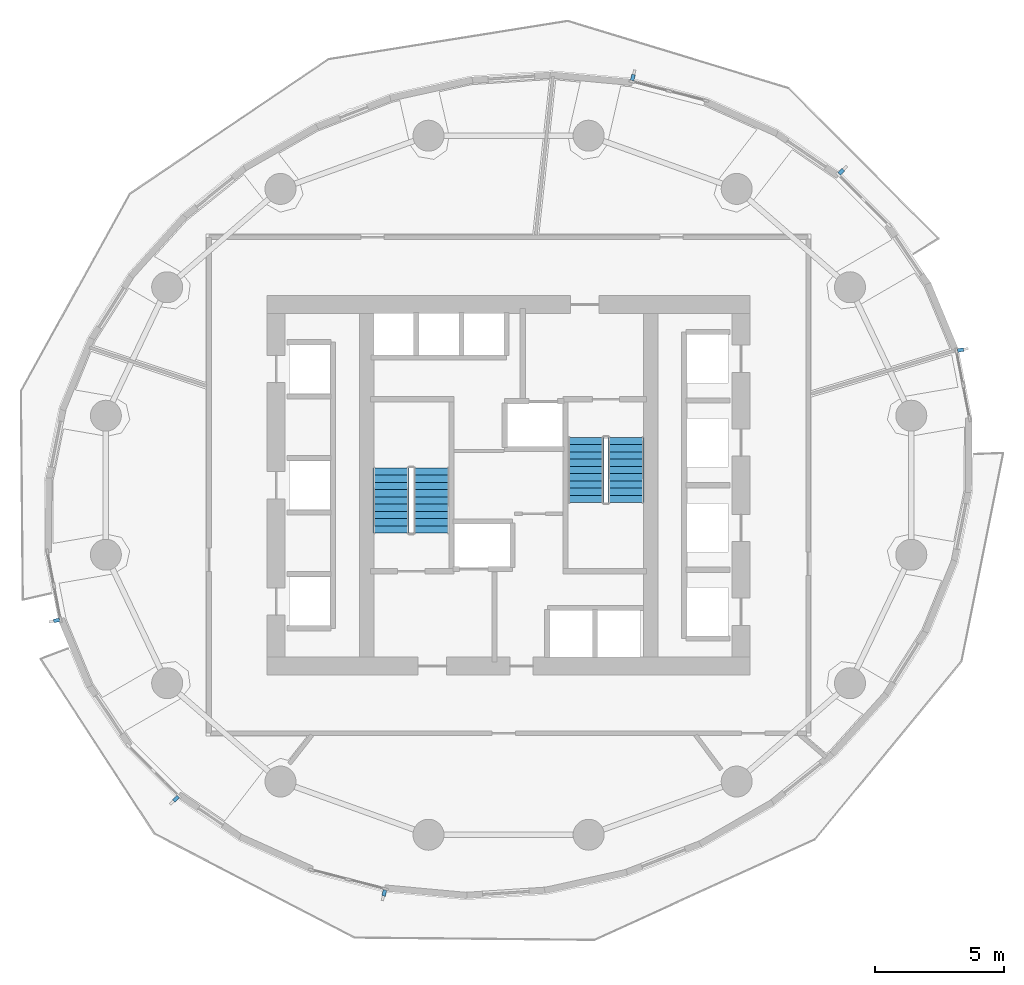
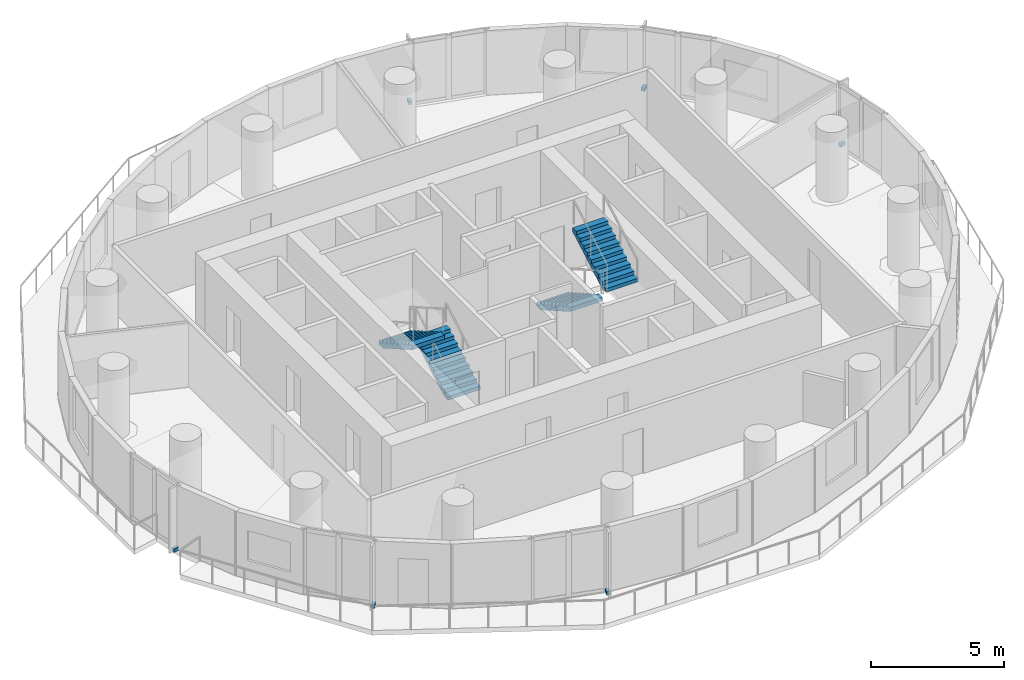
# One storey, part 6 of 10: 6 discrete accessories, 4 stair flights, 2 elements without a shape of their own.
"""IFC4 building model written with IfcOpenShell, lengths in metres."""

import ifcopenshell
import ifcopenshell.guid

model = None  # the IFC model being written
_history = None  # IfcOwnerHistory: only IFC2X3 demands one
_inside = {}  # id of a spatial element -> (the spatial element, [elements in it])
_under = {}  # id of a project, library or spatial element -> (it, [spatial elements below it])
_declared = {}  # id of a project -> (the project, [libraries it declares])
_typed = {}  # id of a type object -> (the type object, [elements of that type])
_made_of = {}  # id of a material, layer set ... -> (it, [elements and type objects made of it])


def new_model(schema):
    """Start an empty IFC model of exactly this schema.

    Asked for "IFC4X3", IfcOpenShell would pick the latest addendum, in which some entities
    have other attributes; the version numbers below select the first issue.
    IFC2X3 requires an IfcOwnerHistory on every rooted entity: one is made here for all.
    """
    global model, _history
    if schema == "IFC4X3":
        model = ifcopenshell.file(schema_version=(4, 3, 0, 0))
    else:
        model = ifcopenshell.file(schema=schema)
    _inside.clear()
    _under.clear()
    _declared.clear()
    _typed.clear()
    _made_of.clear()
    _history = None
    if model.schema == "IFC2X3":
        org = make("IfcOrganization", Name="unknown")
        user = make(
            "IfcPersonAndOrganization",
            ThePerson=make("IfcPerson", FamilyName="unknown"),
            TheOrganization=org,
        )
        app = make(
            "IfcApplication",
            ApplicationDeveloper=org,
            Version="unknown",
            ApplicationFullName="unknown",
            ApplicationIdentifier="unknown",
        )
        _history = make(
            "IfcOwnerHistory",
            OwningUser=user,
            OwningApplication=app,
            ChangeAction="ADDED",
            CreationDate=0,
        )
    return model


def make(cls, **values):
    """One entity of the class cls with the attributes given. An attribute that is None is left unset."""
    return model.create_entity(
        cls, **{name: value for name, value in values.items() if value is not None}
    )


def rooted(cls, **values):
    """An entity with a GlobalId (a new one), such as an element, a storey or a relation."""
    return make(cls, GlobalId=ifcopenshell.guid.new(), OwnerHistory=_history, **values)


def si_unit(unit_type, name, prefix=None):
    """IfcSIUnit, for example si_unit("LENGTHUNIT", "METRE", prefix="MILLI")."""
    return make("IfcSIUnit", UnitType=unit_type, Prefix=prefix, Name=name)


def assignment(units):
    """IfcUnitAssignment: the units of a project."""
    return None if units is None else make("IfcUnitAssignment", Units=units)


def point(xyz):
    """IfcCartesianPoint."""
    return None if xyz is None else make("IfcCartesianPoint", Coordinates=xyz)


def direction(xyz):
    """IfcDirection."""
    return None if xyz is None else make("IfcDirection", DirectionRatios=xyz)


def frame(location, z_axis=None, x_axis=None):
    """IfcAxis2Placement3D, a coordinate frame: its origin and axes. An axis left out is left unset."""
    return make(
        "IfcAxis2Placement3D",
        Location=point(location),
        Axis=direction(z_axis),
        RefDirection=direction(x_axis),
    )


def frame_2d(location, x_axis=None):
    """IfcAxis2Placement2D, a coordinate frame in the plane: its origin and x axis."""
    return make(
        "IfcAxis2Placement2D", Location=point(location), RefDirection=direction(x_axis)
    )


def origin():
    """The frame at (0, 0, 0) with its axes left unset."""
    return frame((0.0, 0.0, 0.0))


def origin_2d():
    """The frame at (0, 0) in the plane with its x axis left unset."""
    return frame_2d((0.0, 0.0))


def place(relative_to, where):
    """IfcLocalPlacement: puts the frame where relative to a parent placement (None: the world)."""
    return make(
        "IfcLocalPlacement", PlacementRelTo=relative_to, RelativePlacement=where
    )


def context(
    kind, dimensions, precision=None, world=None, true_north=None, identifier=None
):
    """IfcGeometricRepresentationContext, for example the 3D "Model" context."""
    return make(
        "IfcGeometricRepresentationContext",
        ContextIdentifier=identifier,
        ContextType=kind,
        CoordinateSpaceDimension=dimensions,
        Precision=precision,
        WorldCoordinateSystem=world,
        TrueNorth=true_north,
    )


def subcontext(parent, identifier, kind, view, scale=None):
    """IfcGeometricRepresentationSubContext, for example "Body" below "Model"."""
    return make(
        "IfcGeometricRepresentationSubContext",
        ContextIdentifier=identifier,
        ContextType=kind,
        ParentContext=parent,
        TargetScale=scale,
        TargetView=view,
    )


def project(units=None, contexts=None):
    """IfcProject with its units and contexts."""
    return rooted(
        "IfcProject",
        Name="project",
        RepresentationContexts=contexts,
        UnitsInContext=assignment(units),
    )


def spatial(cls, under=None, at=None, **own):
    """A site, building, storey or space (cls), placed at a placement, below another one or the project."""
    s = rooted(cls, ObjectPlacement=at, **own)
    if under is not None:
        _under.setdefault(under.id(), (under, []))[1].append(s)
    return s


def polyline(points):
    """IfcPolyline through the points."""
    return make("IfcPolyline", Points=[point(p) for p in points])


def profile(cls, at=None, kind="AREA", **sizes):
    """A parametric profile (cls). Its sizes go by their IFC names, for example OverallWidth=200.0."""
    return make(cls, ProfileType=kind, Position=at, **sizes)


def rectangle(**sizes):
    """IfcRectangleProfileDef."""
    return profile("IfcRectangleProfileDef", **sizes)


def outline(outer, holes=None, kind="AREA"):
    """IfcArbitraryClosedProfileDef: a profile drawn as a closed curve; with holes, ...WithVoids."""
    if holes is None:
        return make("IfcArbitraryClosedProfileDef", ProfileType=kind, OuterCurve=outer)
    return make(
        "IfcArbitraryProfileDefWithVoids",
        ProfileType=kind,
        OuterCurve=outer,
        InnerCurves=holes,
    )


def extrude(swept, where, along, depth):
    """IfcExtrudedAreaSolid: the profile swept, set in the frame where, extruded along a direction by depth."""
    return make(
        "IfcExtrudedAreaSolid",
        SweptArea=swept,
        Position=where,
        ExtrudedDirection=direction(along),
        Depth=depth,
    )


def shape(context_of_items, identifier, shape_type, items):
    """IfcShapeRepresentation: the items that make up one representation, for example the "Body"."""
    return make(
        "IfcShapeRepresentation",
        ContextOfItems=context_of_items,
        RepresentationIdentifier=identifier,
        RepresentationType=shape_type,
        Items=items,
    )


def material(Name=None, Category=None):
    """IfcMaterial."""
    return make("IfcMaterial", Name=Name, Category=Category)


def made_of(thing, what):
    """Note that an element or type object is made of a material, layer set ...; save() writes the relation."""
    if what is not None:
        _made_of.setdefault(what.id(), (what, []))[1].append(thing)
    return thing


def type_object(cls, material=None, **own):
    """A type object (cls), such as IfcWallType, which elements share."""
    return made_of(rooted(cls, **own), material)


def element(
    cls,
    number,
    at=None,
    inside=None,
    cuts=None,
    type_object=None,
    material=None,
    context=None,
    identifier="Body",
    shape_type=None,
    held_by="IfcProductDefinitionShape",
    body=None,
    shapes=None,
    **own,
):
    """One element of the class cls, such as IfcWall. Its Tag is "e" and its number.

    at: its placement. inside: the storey or other place that contains it. cuts: it is an
    opening in that element (IfcRelVoidsElement). A single representation is given by context,
    identifier, shape_type and body (its items); several are given by shapes. held_by: the class
    of the entity that holds the representations. save() writes the other relations.
    """
    e = rooted(cls, Tag="e%d" % number, ObjectPlacement=at, **own)
    if body is not None:
        shapes = [shape(context, identifier, shape_type, body)]
    if shapes is not None:
        e.Representation = make(held_by, Representations=shapes)
    if inside is not None:
        _inside.setdefault(inside.id(), (inside, []))[1].append(e)
    if cuts is not None:
        rooted(
            "IfcRelVoidsElement", RelatingBuildingElement=cuts, RelatedOpeningElement=e
        )
    if type_object is not None:
        _typed.setdefault(type_object.id(), (type_object, []))[1].append(e)
    return made_of(e, material)


def aggregate(whole, parts):
    """IfcRelAggregates: a whole, such as a stair, and the parts it consists of."""
    return rooted("IfcRelAggregates", RelatingObject=whole, RelatedObjects=parts)


def save(model, path):
    """Write the relations noted so far, then the file.

    IfcRelAggregates (storeys below a building ...), IfcRelContainedInSpatialStructure (elements
    in a storey), IfcRelDefinesByType, IfcRelAssociatesMaterial and IfcRelDeclares: one each for
    every whole, place, type object, material and project.
    """
    for whole, parts in _under.values():
        aggregate(whole, parts)
    for where, things in _inside.values():
        rooted(
            "IfcRelContainedInSpatialStructure",
            RelatedElements=things,
            RelatingStructure=where,
        )
    for kind, things in _typed.values():
        rooted("IfcRelDefinesByType", RelatedObjects=things, RelatingType=kind)
    for what, things in _made_of.values():
        rooted("IfcRelAssociatesMaterial", RelatedObjects=things, RelatingMaterial=what)
    for by, libraries in _declared.values():
        rooted("IfcRelDeclares", RelatingContext=by, RelatedDefinitions=libraries)
    model.write(path)


model = new_model("IFC4")

# Units and contexts
model_context = context("Model", 3, precision=1e-05, world=origin(), true_north=direction((0.0, 1.0)))
body_context = subcontext(model_context, "Body", "Model", "MODEL_VIEW")
ifc_project = project(units=[si_unit("LENGTHUNIT", "METRE"), si_unit("AREAUNIT", "SQUARE_METRE"), si_unit("VOLUMEUNIT", "CUBIC_METRE"), si_unit("PLANEANGLEUNIT", "RADIAN"), si_unit("MASSUNIT", "GRAM", prefix="KILO")], contexts=[model_context])

# Site, building, storey
site_placement = place(None, origin())
site = spatial("IfcSite", under=ifc_project, at=site_placement, CompositionType="ELEMENT")
building_placement = place(site_placement, origin())
building = spatial("IfcBuilding", under=site, at=building_placement, Name="Veldorim Arch Residences", CompositionType="ELEMENT")
storey_placement = place(building_placement, frame((0.0, 0.0, 70.8798828125)))
storey = spatial("IfcBuildingStorey", under=building, at=storey_placement, Name="L20", CompositionType="ELEMENT", Elevation=70.8798828125)

# Stair, stair flights
ifc_material_1 = material(Name="Concrete C40/50", Category="concrete")
stair_type = type_object("IfcStairType", Name="Reinforced Concrete Dogleg Exit Staircase", PredefinedType="HALF_TURN_STAIR", material=ifc_material_1)
stair_1_placement = place(storey_placement, origin())
stair_1 = element("IfcStair", 1, at=stair_1_placement, inside=storey, type_object=stair_type, Name="L20 Exit Staircase ST-1", PredefinedType="HALF_TURN_STAIR")
ifc_material_2 = material(Name="Concrete C40/50", Category="concrete")
stair_flight_type = type_object("IfcStairFlightType", Name="Reinforced Concrete Stair Flight 1400", PredefinedType="STRAIGHT", material=ifc_material_2)
stair_flight_1_placement = place(storey_placement, frame((29.010009765625, 22.14990234375, 0.0), z_axis=(0.0, 0.0, 1.0), x_axis=(0.0, 1.0, 0.0)))
stair_flight_1 = element("IfcStairFlight", 2, at=stair_flight_1_placement, type_object=stair_flight_type, Name="ST-1 flight 1", NumberOfRisers=10, NumberOfTreads=9, PredefinedType="STRAIGHT", RiserHeight=0.16, TreadLength=0.28, context=body_context, shape_type="SweptSolid", body=[
    extrude(outline(polyline([(0.0, 0.0), (0.0, 0.159912109375), (0.280029296875, 0.159912109375), (0.280029296875, 0.320068359375), (0.56005859375, 0.320068359375), (0.56005859375, 0.47998046875), (0.840087890625, 0.47998046875), (0.840087890625, 0.639892578125), (1.1201171875, 0.639892578125), (1.1201171875, 0.800048828125), (1.39990234375, 0.800048828125), (1.39990234375, 0.9599609375), (1.679931640625, 0.9599609375), (1.679931640625, 1.1201171875), (1.9599609375, 1.1201171875), (1.9599609375, 1.280029296875), (2.239990234375, 1.280029296875), (2.239990234375, 1.43994140625), (2.52001953125, 1.43994140625), (2.52001953125, 1.60009765625), (2.52001953125, 1.255859375), (0.322265625, 0.0), (0.0, 0.0)])), frame((0.0, 0.699951171875, 0.0), z_axis=(0.0, -1.0, 0.0), x_axis=(1.0, 0.0, 0.0)), (0.0, 0.0, 1.0), 1.39990234375),
])
stair_flight_2_placement = place(storey_placement, frame((27.449951171875, 24.669921875, 1.60009765625), z_axis=(0.0, 0.0, 1.0), x_axis=(0.0, -1.0, 0.0)))
stair_flight_2 = element("IfcStairFlight", 3, at=stair_flight_2_placement, type_object=stair_flight_type, Name="ST-1 flight 2", NumberOfRisers=10, NumberOfTreads=9, PredefinedType="STRAIGHT", RiserHeight=0.16, TreadLength=0.28, context=body_context, shape_type="SweptSolid", body=[
    extrude(outline(polyline([(0.0, 0.0), (0.0, 0.159912109375), (0.280029296875, 0.159912109375), (0.280029296875, 0.320068359375), (0.56005859375, 0.320068359375), (0.56005859375, 0.47998046875), (0.840087890625, 0.47998046875), (0.840087890625, 0.639892578125), (1.1201171875, 0.639892578125), (1.1201171875, 0.800048828125), (1.39990234375, 0.800048828125), (1.39990234375, 0.9599609375), (1.679931640625, 0.9599609375), (1.679931640625, 1.1201171875), (1.9599609375, 1.1201171875), (1.9599609375, 1.280029296875), (2.239990234375, 1.280029296875), (2.239990234375, 1.43994140625), (2.52001953125, 1.43994140625), (2.52001953125, 1.60009765625), (2.52001953125, 1.255859375), (0.322265625, 0.0), (0.0, 0.0)])), frame((0.0, 0.699951171875, 0.0), z_axis=(0.0, -1.0, 0.0), x_axis=(1.0, 0.0, 0.0)), (0.0, 0.0, 1.0), 1.39990234375),
])
aggregate(stair_1, [stair_flight_1, stair_flight_2])

stair_2_placement = place(storey_placement, origin())
stair_2 = element("IfcStair", 4, at=stair_2_placement, inside=storey, type_object=stair_type, Name="L20 Exit Staircase ST-2", PredefinedType="HALF_TURN_STAIR")
stair_flight_3_placement = place(storey_placement, frame((34.989990234375, 25.85009765625, 0.0), z_axis=(0.0, 0.0, 1.0), x_axis=(0.0, -1.0, 0.0)))
stair_flight_3 = element("IfcStairFlight", 5, at=stair_flight_3_placement, type_object=stair_flight_type, Name="ST-2 flight 1", NumberOfRisers=10, NumberOfTreads=9, PredefinedType="STRAIGHT", RiserHeight=0.16, TreadLength=0.28, context=body_context, shape_type="SweptSolid", body=[
    extrude(outline(polyline([(0.0, 0.0), (0.0, 0.159912109375), (0.280029296875, 0.159912109375), (0.280029296875, 0.320068359375), (0.56005859375, 0.320068359375), (0.56005859375, 0.47998046875), (0.840087890625, 0.47998046875), (0.840087890625, 0.639892578125), (1.1201171875, 0.639892578125), (1.1201171875, 0.800048828125), (1.39990234375, 0.800048828125), (1.39990234375, 0.9599609375), (1.679931640625, 0.9599609375), (1.679931640625, 1.1201171875), (1.9599609375, 1.1201171875), (1.9599609375, 1.280029296875), (2.239990234375, 1.280029296875), (2.239990234375, 1.43994140625), (2.52001953125, 1.43994140625), (2.52001953125, 1.60009765625), (2.52001953125, 1.255859375), (0.322265625, 0.0), (0.0, 0.0)])), frame((0.0, 0.699951171875, 0.0), z_axis=(0.0, -1.0, 0.0), x_axis=(1.0, 0.0, 0.0)), (0.0, 0.0, 1.0), 1.39990234375),
])
stair_flight_4_placement = place(storey_placement, frame((36.550048828125, 23.330078125, 1.60009765625), z_axis=(0.0, 0.0, 1.0), x_axis=(0.0, 1.0, 0.0)))
stair_flight_4 = element("IfcStairFlight", 6, at=stair_flight_4_placement, type_object=stair_flight_type, Name="ST-2 flight 2", NumberOfRisers=10, NumberOfTreads=9, PredefinedType="STRAIGHT", RiserHeight=0.16, TreadLength=0.28, context=body_context, shape_type="SweptSolid", body=[
    extrude(outline(polyline([(0.0, 0.0), (0.0, 0.159912109375), (0.280029296875, 0.159912109375), (0.280029296875, 0.320068359375), (0.56005859375, 0.320068359375), (0.56005859375, 0.47998046875), (0.840087890625, 0.47998046875), (0.840087890625, 0.639892578125), (1.1201171875, 0.639892578125), (1.1201171875, 0.800048828125), (1.39990234375, 0.800048828125), (1.39990234375, 0.9599609375), (1.679931640625, 0.9599609375), (1.679931640625, 1.1201171875), (1.9599609375, 1.1201171875), (1.9599609375, 1.280029296875), (2.239990234375, 1.280029296875), (2.239990234375, 1.43994140625), (2.52001953125, 1.43994140625), (2.52001953125, 1.60009765625), (2.52001953125, 1.255859375), (0.322265625, 0.0), (0.0, 0.0)])), frame((0.0, 0.699951171875, 0.0), z_axis=(0.0, -1.0, 0.0), x_axis=(1.0, 0.0, 0.0)), (0.0, 0.0, 1.0), 1.39990234375),
])
aggregate(stair_2, [stair_flight_3, stair_flight_4])

# Discrete accessories
ifc_material_3 = material(Name="Stainless Steel", Category="steel")
discrete_accessory_type = type_object("IfcDiscreteAccessoryType", Name="Stainless Steel Facade Fin Anchor Bracket", PredefinedType="BRACKET", material=ifc_material_3)
for number, where, z_axis, x_axis, name in (
    (7, (44.88330078125, 36.1396484375, -0.02001953125), (0.0, 0.0, 1.0), (0.707600262489, -0.706612955249, 0.0), "L20 stainless fin anchor bracket 03"),
    (8, (36.81298828125, 39.787109375, -0.02001953125), (0.0, 0.0, 1.0), (0.968147640378, -0.250380004054, 0.0), "L20 stainless fin anchor bracket 06"),
    (9, (14.50048828125, 18.765380859375, -0.02001953125), (0.0, 0.0, 1.0), (-0.191665553932, 0.981460297432, 0.0), "L20 stainless fin anchor bracket 18"),
    (10, (19.11669921875, 11.8603515625, -0.02001953125), (0.0, 0.0, 1.0), (-0.707600262489, 0.706612955249, 0.0), "L20 stainless fin anchor bracket 21"),
    (11, (27.18701171875, 8.212890625, -0.02001953125), (0.0, 0.0, 1.0), (-0.968147640378, 0.250380004054, 0.0), "L20 stainless fin anchor bracket 24"),
    (12, (49.49951171875, 29.234619140625, -0.02001953125), (0.0, 0.0, 1.0), (0.191665553932, -0.981460297432, 0.0), "L20 stainless fin anchor bracket 36"),
):
    element("IfcDiscreteAccessory", number, at=place(storey_placement, frame(where, z_axis=z_axis, x_axis=x_axis)), inside=storey, type_object=discrete_accessory_type, Name=name, PredefinedType="BRACKET", context=body_context, shape_type="SweptSolid", body=[
        extrude(rectangle(XDim=0.139892578125, YDim=0.239990234375, at=origin_2d()), origin(), (0.0, 0.0, 1.0), 0.159912109375),
    ])

save(model, "model.ifc")
